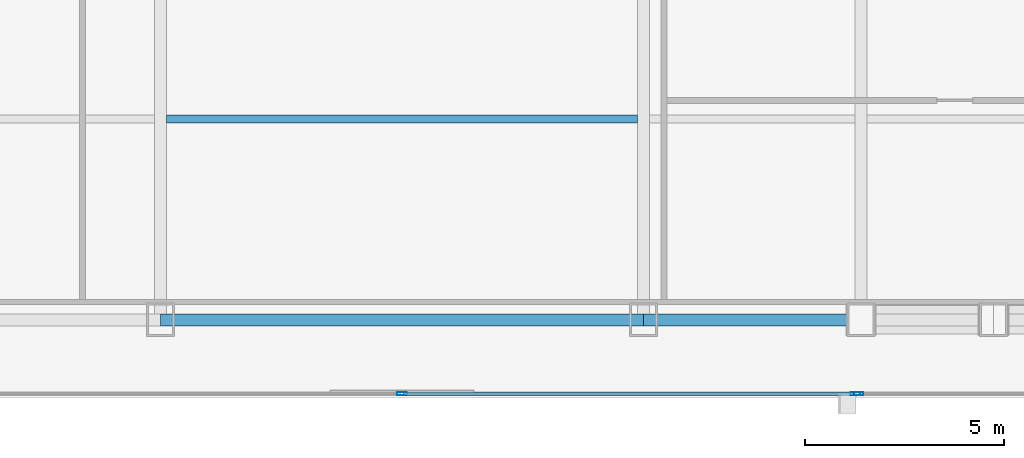
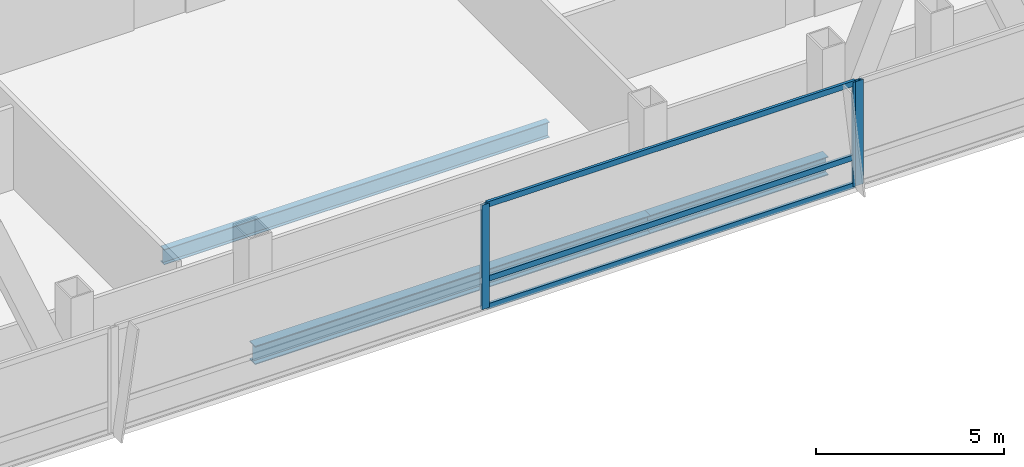
# One storey, part 13 of 29: 6 members, 3 beams, 2 elements without a shape of their own.
"""IFC4 building model written with IfcOpenShell, lengths in metres."""

from ifc_helpers import new_model, si_unit, direction, frame, origin, origin_2d, place, context, subcontext, project, spatial, hollow_rectangle, i_section, extrude, material, material_profile, profile_set, type_object, element, aggregate, save


model = new_model("IFC4")

# Units and contexts
model_context = context("Model", 3, precision=1e-05, world=origin(), true_north=direction((0.0, 1.0)))
body_context = subcontext(model_context, "Body", "Model", "MODEL_VIEW")
ifc_project = project(units=[si_unit("LENGTHUNIT", "METRE"), si_unit("AREAUNIT", "SQUARE_METRE"), si_unit("VOLUMEUNIT", "CUBIC_METRE"), si_unit("PLANEANGLEUNIT", "RADIAN"), si_unit("MASSUNIT", "GRAM", prefix="KILO")], contexts=[model_context])

# Site, building, storey
site_placement = place(None, origin())
site = spatial("IfcSite", under=ifc_project, at=site_placement, CompositionType="ELEMENT")
building_placement = place(site_placement, origin())
building = spatial("IfcBuilding", under=site, at=building_placement, Name="Khoronbel Lancet Exchange", CompositionType="ELEMENT")
storey_placement = place(building_placement, frame((0.0, 0.0, 180.60009765625)))
storey = spatial("IfcBuildingStorey", under=building, at=storey_placement, Name="L45", CompositionType="ELEMENT", Elevation=180.60009765625)

# Beams
ifc_material_1 = material(Name="Steel S355", Category="steel")
ifc_material_profile_1 = material_profile(ifc_material_1, i_section(OverallWidth=0.199951171875, OverallDepth=0.5, WebThickness=0.01025390625, FlangeThickness=0.01611328125, at=origin_2d()), Name="IPE 500")
ifc_profile_set_1 = profile_set([ifc_material_profile_1], Name="Steel S355")
beam_type_1 = type_object("IfcBeamType", Name="BM-BJ3", PredefinedType="JOIST", material=ifc_profile_set_1)
beam_1_placement = place(storey_placement, frame((30.52490234375, 15.199951171875, -0.41015625), z_axis=(1.0, 0.0, 0.0), x_axis=(0.0, 1.0, 0.0)))
element("IfcBeam", 1, at=beam_1_placement, inside=storey, type_object=beam_type_1, Name="Level L45 secondary composite joist J03", PredefinedType="JOIST", context=body_context, shape_type="SweptSolid", body=[
    extrude(i_section(OverallWidth=0.199951171875, OverallDepth=0.5, WebThickness=0.01025390625, FlangeThickness=0.01611328125, at=origin_2d()), origin(), (0.0, 0.0, 1.0), 11.85009765625),
])
ifc_material_profile_2 = material_profile(ifc_material_1, i_section(OverallWidth=0.300048828125, OverallDepth=0.60009765625, WebThickness=0.015380859375, FlangeThickness=0.030029296875, at=origin_2d()), Name="HEB 600")
ifc_profile_set_2 = profile_set([ifc_material_profile_2], Name="Steel S355")
beam_type_2 = type_object("IfcBeamType", Name="BM-BSP2", PredefinedType="SPANDREL", material=ifc_profile_set_2)
beam_2_placement = place(storey_placement, frame((30.375, 10.14990234375, -0.460205078125), z_axis=(1.0, 0.0, 0.0), x_axis=(0.0, 1.0, 0.0)))
element("IfcBeam", 2, at=beam_2_placement, inside=storey, type_object=beam_type_2, Name="Level L45 perimeter spandrel beam SP05", PredefinedType="SPANDREL", context=body_context, shape_type="SweptSolid", body=[
    extrude(i_section(OverallWidth=0.300048828125, OverallDepth=0.60009765625, WebThickness=0.015380859375, FlangeThickness=0.030029296875, at=origin_2d()), origin(), (0.0, 0.0, 1.0), 12.14990234375),
])
beam_3_placement = place(storey_placement, frame((42.52490234375, 10.14990234375, -0.460205078125), z_axis=(1.0, 0.0, 0.0), x_axis=(0.0, 1.0, 0.0)))
element("IfcBeam", 3, at=beam_3_placement, inside=storey, type_object=beam_type_2, Name="Level L45 perimeter spandrel beam SP06", PredefinedType="SPANDREL", context=body_context, shape_type="SweptSolid", body=[
    extrude(i_section(OverallWidth=0.300048828125, OverallDepth=0.60009765625, WebThickness=0.015380859375, FlangeThickness=0.030029296875, at=origin_2d()), origin(), (0.0, 0.0, 1.0), 5.47509765625),
])

# Curtain wall, members
ifc_material_2 = material(Name="Low-E Solar Control Insulating Glass", Category="glass")
curtain_wall_type = type_object("IfcCurtainWallType", Name="CW-3", PredefinedType="NOTDEFINED", material=ifc_material_2)
curtain_wall_1_placement = place(storey_placement, origin())
curtain_wall_1 = element("IfcCurtainWall", 4, at=curtain_wall_1_placement, inside=storey, type_object=curtain_wall_type, Name="Unitised curtain wall CW-L45-SCV", PredefinedType="NOTDEFINED")
ifc_material_3 = material(Name="Bronze-Anodised Aluminium 6063-T6", Category="aluminium")
ifc_material_profile_3 = material_profile(ifc_material_3, hollow_rectangle(XDim=0.0849609375, YDim=0.239990234375, WallThickness=0.006103515625, at=origin_2d()), Name="ALU MULLION 85x240")
ifc_profile_set_3 = profile_set([ifc_material_profile_3], Name="Bronze-Anodised Aluminium 6063-T6")
member_type_1 = type_object("IfcMemberType", Name="MEM-CWM1", PredefinedType="MULLION", material=ifc_profile_set_3)
member_1_placement = place(storey_placement, frame((36.449951171875, 8.2900390625, 0.0), z_axis=(0.0, 0.0, 1.0), x_axis=(0.0, 1.0, 0.0)))
member_1 = element("IfcMember", 5, at=member_1_placement, type_object=member_type_1, Name="CW3 mullion 2", PredefinedType="MULLION", context=body_context, shape_type="SweptSolid", body=[
    extrude(hollow_rectangle(XDim=0.0849609375, YDim=0.239990234375, WallThickness=0.006103515625, at=origin_2d()), origin(), (0.0, 0.0, 1.0), 3.39990234375),
])
member_2_placement = place(storey_placement, frame((47.857421875, 8.2900390625, 0.0), z_axis=(0.0, 0.0, 1.0), x_axis=(0.0, 1.0, 0.0)))
member_2 = element("IfcMember", 6, at=member_2_placement, type_object=member_type_1, Name="CW3 mullion 3", PredefinedType="MULLION", context=body_context, shape_type="SweptSolid", body=[
    extrude(hollow_rectangle(XDim=0.0849609375, YDim=0.239990234375, WallThickness=0.006103515625, at=origin_2d()), origin(), (0.0, 0.0, 1.0), 3.39990234375),
])

# Curtain wall, member
curtain_wall_2_placement = place(storey_placement, origin())
curtain_wall_2 = element("IfcCurtainWall", 7, at=curtain_wall_2_placement, inside=storey, type_object=curtain_wall_type, Name="Unitised curtain wall CW-L45-SEB", PredefinedType="NOTDEFINED")
member_3_placement = place(storey_placement, frame((47.9423828125, 8.2900390625, 0.0), z_axis=(0.0, 0.0, 1.0), x_axis=(0.0, 1.0, 0.0)))
member_3 = element("IfcMember", 8, at=member_3_placement, type_object=member_type_1, Name="CW3 mullion 1", PredefinedType="MULLION", context=body_context, shape_type="SweptSolid", body=[
    extrude(hollow_rectangle(XDim=0.0849609375, YDim=0.239990234375, WallThickness=0.006103515625, at=origin_2d()), origin(), (0.0, 0.0, 1.0), 3.39990234375),
])
aggregate(curtain_wall_2, [member_3])

# Member
ifc_material_profile_4 = material_profile(ifc_material_3, hollow_rectangle(XDim=0.0849609375, YDim=0.179931640625, WallThickness=0.0048828125, at=origin_2d()), Name="ALU TRANSOM 85x180")
ifc_profile_set_4 = profile_set([ifc_material_profile_4], Name="Bronze-Anodised Aluminium 6063-T6")
member_type_2 = type_object("IfcMemberType", Name="MEM-CWT1", PredefinedType="USERDEFINED", material=ifc_profile_set_4)
member_4_placement = place(storey_placement, frame((36.492431640625, 8.2900390625, 0.04248046875), z_axis=(1.0, 0.0, 0.0), x_axis=(0.0, 1.0, 0.0)))
member_4 = element("IfcMember", 9, at=member_4_placement, type_object=member_type_2, Name="CW3 transom 2.1", ObjectType="TRANSOM", PredefinedType="USERDEFINED", context=body_context, shape_type="SweptSolid", body=[
    extrude(hollow_rectangle(XDim=0.0849609375, YDim=0.179931640625, WallThickness=0.0048828125, at=origin_2d()), origin(), (0.0, 0.0, 1.0), 11.322509765625),
])

member_5_placement = place(storey_placement, frame((36.492431640625, 8.2900390625, 0.949951171875), z_axis=(1.0, 0.0, 0.0), x_axis=(0.0, 1.0, 0.0)))
member_5 = element("IfcMember", 10, at=member_5_placement, type_object=member_type_2, Name="CW3 transom 2.2", ObjectType="TRANSOM", PredefinedType="USERDEFINED", context=body_context, shape_type="SweptSolid", body=[
    extrude(hollow_rectangle(XDim=0.0849609375, YDim=0.179931640625, WallThickness=0.0048828125, at=origin_2d()), origin(), (0.0, 0.0, 1.0), 11.322509765625),
])

member_6_placement = place(storey_placement, frame((36.492431640625, 8.2900390625, 3.357421875), z_axis=(1.0, 0.0, 0.0), x_axis=(0.0, 1.0, 0.0)))
member_6 = element("IfcMember", 11, at=member_6_placement, type_object=member_type_2, Name="CW3 transom 2.3", ObjectType="TRANSOM", PredefinedType="USERDEFINED", context=body_context, shape_type="SweptSolid", body=[
    extrude(hollow_rectangle(XDim=0.0849609375, YDim=0.179931640625, WallThickness=0.0048828125, at=origin_2d()), origin(), (0.0, 0.0, 1.0), 11.322509765625),
])

aggregate(curtain_wall_1, [member_1, member_2, member_4, member_5, member_6])

save(model, "model.ifc")
